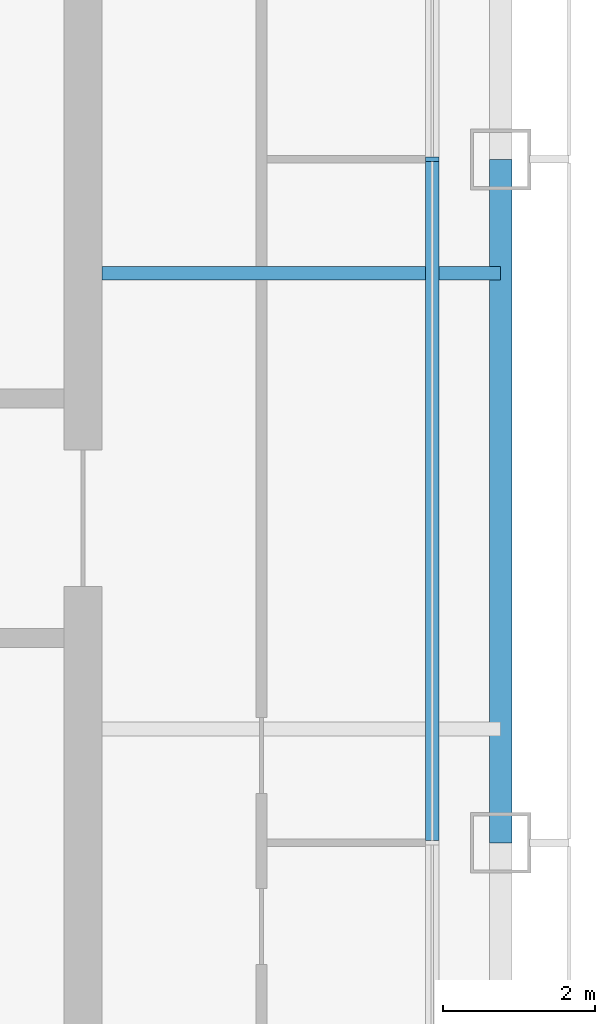
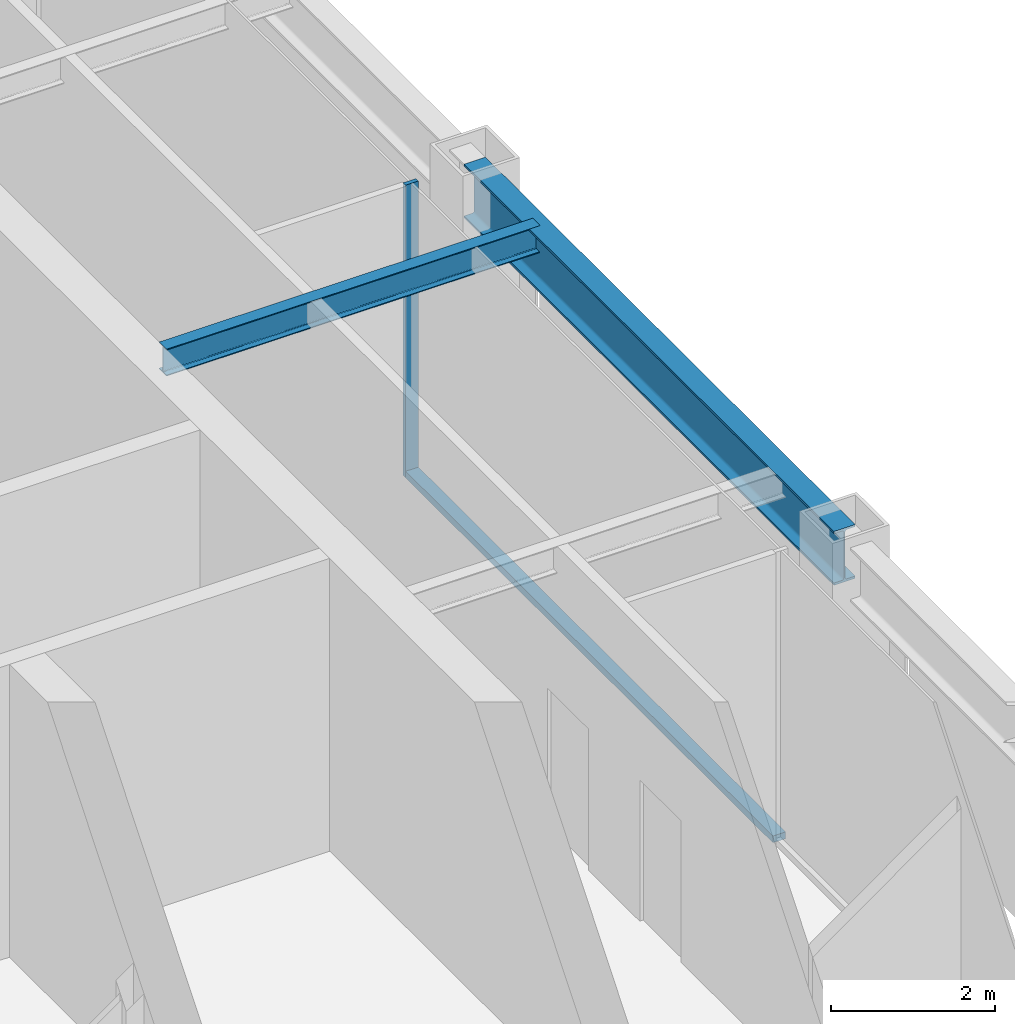
# One storey, part 5 of 23: 2 beams, 2 members, 1 element without a shape of its own.
"""IFC4 building model written with IfcOpenShell, lengths in metres."""

from ifc_helpers import new_model, si_unit, direction, frame, origin, origin_2d, place, context, subcontext, project, spatial, rectangle, i_section, extrude, material, layer, layer_set, material_profile, profile_set, type_object, element, aggregate, save


model = new_model("IFC4")

# Units and contexts
model_context = context("Model", 3, precision=1e-05, world=origin(), true_north=direction((0.0, 1.0)))
body_context = subcontext(model_context, "Body", "Model", "MODEL_VIEW")
ifc_project = project(units=[si_unit("LENGTHUNIT", "METRE"), si_unit("AREAUNIT", "SQUARE_METRE"), si_unit("VOLUMEUNIT", "CUBIC_METRE"), si_unit("PLANEANGLEUNIT", "RADIAN"), si_unit("MASSUNIT", "GRAM", prefix="KILO")], contexts=[model_context])

# Site, building, storey
site_placement = place(None, origin())
site = spatial("IfcSite", under=ifc_project, at=site_placement, CompositionType="ELEMENT")
building_placement = place(site_placement, origin())
building = spatial("IfcBuilding", under=site, at=building_placement, Name="Siwar Civic Tower", CompositionType="ELEMENT")
storey_placement = place(building_placement, frame((0.0, 0.0, 237.699951171875)))
storey = spatial("IfcBuildingStorey", under=building, at=storey_placement, Name="L51", CompositionType="ELEMENT", Elevation=237.699951171875)

# Curtain wall, members
ifc_material_1 = material(Name="Aluminium and glass", Category="aluminium")
ifc_layer = layer(ifc_material_1, 0.179931640625)
ifc_layer_set = layer_set([ifc_layer], Name="Aluminium and glass")
curtain_wall_type = type_object("IfcCurtainWallType", Name="ENV-CW-C", PredefinedType="NOTDEFINED", material=ifc_layer_set)
curtain_wall_placement = place(storey_placement, origin())
curtain_wall = element("IfcCurtainWall", 1, at=curtain_wall_placement, inside=storey, type_object=curtain_wall_type, Name="Curtain wall C E", PredefinedType="NOTDEFINED")
ifc_material_2 = material(Name="Aluminium 6063-T6", Category="aluminium")
ifc_material_profile_1 = material_profile(ifc_material_2, rectangle(XDim=0.179931640625, YDim=0.06005859375, at=origin_2d()), Name="AL 180x60")
ifc_profile_set_1 = profile_set([ifc_material_profile_1], Name="Aluminium 6063-T6")
member_type_1 = type_object("IfcMemberType", Name="ENV-MULLION-C", PredefinedType="MULLION", material=ifc_profile_set_1)
member_1_placement = place(storey_placement, frame((26.10009765625, 0.0, 0.0), z_axis=(0.0, 0.0, 1.0), x_axis=(-1.0, 0.0, 0.0)))
member_1 = element("IfcMember", 2, at=member_1_placement, type_object=member_type_1, Name="Mullion C E 3", PredefinedType="MULLION", context=body_context, shape_type="SweptSolid", body=[
    extrude(rectangle(XDim=0.179931640625, YDim=0.06005859375, at=origin_2d()), origin(), (0.0, 0.0, 1.0), 4.35009765625),
])
ifc_material_3 = material(Name="Aluminium 6063-T6", Category="aluminium")
ifc_material_profile_2 = material_profile(ifc_material_3, rectangle(XDim=0.179931640625, YDim=0.10009765625, at=origin_2d()), Name="AL 180x100")
ifc_profile_set_2 = profile_set([ifc_material_profile_2], Name="Aluminium 6063-T6")
member_type_2 = type_object("IfcMemberType", Name="ENV-TRANSOM-C", PredefinedType="USERDEFINED", material=ifc_profile_set_2)
member_2_placement = place(storey_placement, frame((26.10009765625, -8.969970703125, 0.050048828125), z_axis=(0.0, 1.0, 0.0), x_axis=(-1.0, 0.0, 0.0)))
member_2 = element("IfcMember", 3, at=member_2_placement, type_object=member_type_2, Name="Transom C E 2", ObjectType="TRANSOM", PredefinedType="USERDEFINED", context=body_context, shape_type="SweptSolid", body=[
    extrude(rectangle(XDim=0.179931640625, YDim=0.10009765625, at=origin_2d()), origin(), (0.0, 0.0, 1.0), 8.93994140625),
])
aggregate(curtain_wall, [member_1, member_2])

# Beams
ifc_material_4 = material(Name="Steel S355", Category="steel")
ifc_material_profile_3 = material_profile(ifc_material_4, i_section(OverallWidth=0.179931640625, OverallDepth=0.39990234375, WebThickness=0.008544921875, FlangeThickness=0.013427734375, FilletRadius=0.02099609375, at=origin_2d()), Name="IPE400")
ifc_profile_set_3 = profile_set([ifc_material_profile_3], Name="Steel S355")
beam_type_1 = type_object("IfcBeamType", Name="STR-FB-IPE400", PredefinedType="JOIST", material=ifc_profile_set_3)
beam_1_placement = place(storey_placement, frame((21.75, -1.5, 4.150146484375), z_axis=(1.0, 0.0, 0.0), x_axis=(0.0, 1.0, 0.0)))
element("IfcBeam", 4, at=beam_1_placement, inside=storey, type_object=beam_type_1, Name="L51/bm/F024", PredefinedType="JOIST", context=body_context, shape_type="SweptSolid", body=[
    extrude(i_section(OverallWidth=0.179931640625, OverallDepth=0.39990234375, WebThickness=0.008544921875, FlangeThickness=0.013427734375, FilletRadius=0.02099609375, at=origin_2d()), origin(), (0.0, 0.0, 1.0), 5.25),
])
ifc_material_5 = material(Name="Steel S355", Category="steel")
ifc_material_profile_4 = material_profile(ifc_material_5, i_section(OverallWidth=0.300048828125, OverallDepth=0.800048828125, WebThickness=0.017578125, FlangeThickness=0.032958984375, FilletRadius=0.030029296875, at=origin_2d()), Name="HEB800")
ifc_profile_set_4 = profile_set([ifc_material_profile_4], Name="Steel S355")
beam_type_2 = type_object("IfcBeamType", Name="STR-SB-HEB800", PredefinedType="BEAM", material=ifc_profile_set_4)
beam_2_placement = place(storey_placement, frame((27.0, -9.0, 3.949951171875), z_axis=(0.0, 1.0, 0.0), x_axis=(-1.0, 0.0, 0.0)))
element("IfcBeam", 5, at=beam_2_placement, inside=storey, type_object=beam_type_2, Name="L51/bm/SE-1", PredefinedType="BEAM", context=body_context, shape_type="SweptSolid", body=[
    extrude(i_section(OverallWidth=0.300048828125, OverallDepth=0.800048828125, WebThickness=0.017578125, FlangeThickness=0.032958984375, FilletRadius=0.030029296875, at=origin_2d()), origin(), (0.0, 0.0, 1.0), 9.0),
])

save(model, "model.ifc")
